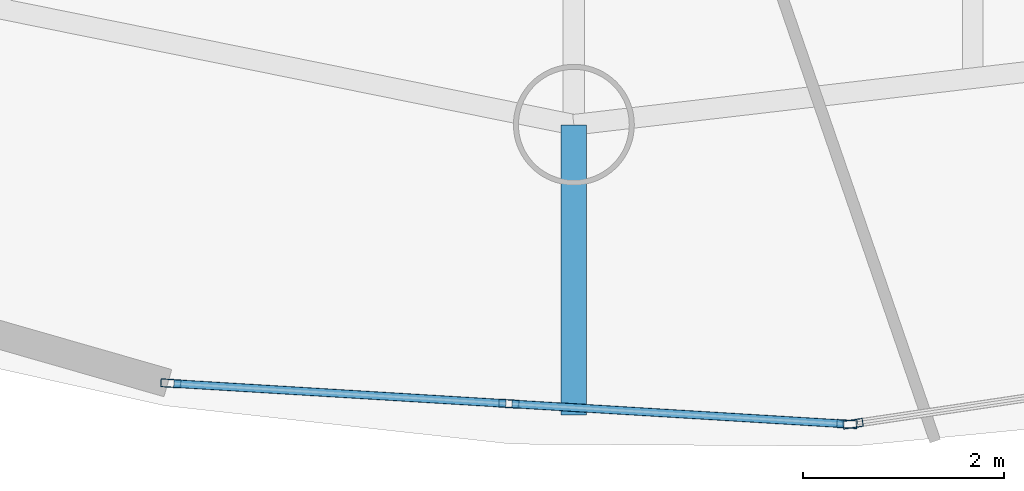
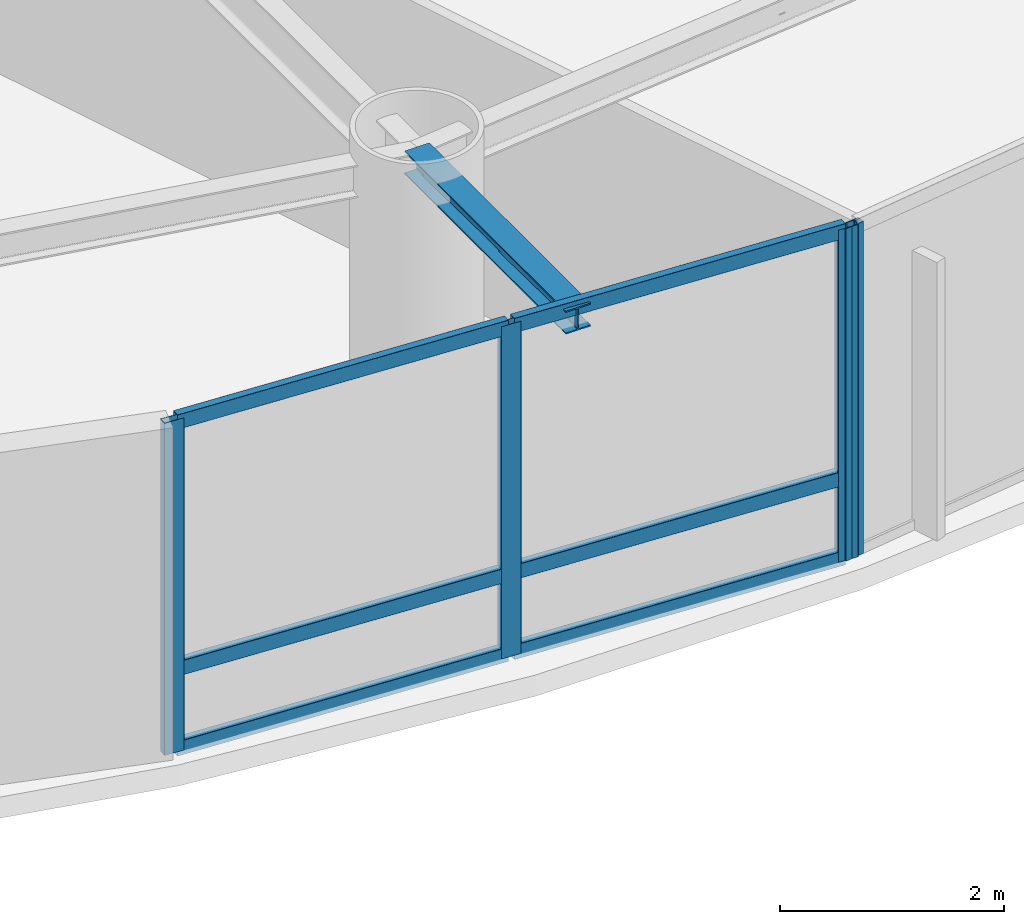
# One storey, part 2 of 18: 10 members, 1 beam, 2 elements without a shape of their own.
"""IFC4 building model written with IfcOpenShell, lengths in metres."""

from ifc_helpers import new_model, si_unit, direction, frame, origin, origin_2d, place, context, subcontext, project, spatial, hollow_rectangle, i_section, extrude, material, layer, layer_set, material_profile, profile_set, type_object, element, aggregate, save


model = new_model("IFC4")

# Units and contexts
model_context = context("Model", 3, precision=1e-05, world=origin(), true_north=direction((0.0, 1.0)))
body_context = subcontext(model_context, "Body", "Model", "MODEL_VIEW")
ifc_project = project(units=[si_unit("LENGTHUNIT", "METRE"), si_unit("AREAUNIT", "SQUARE_METRE"), si_unit("VOLUMEUNIT", "CUBIC_METRE"), si_unit("PLANEANGLEUNIT", "RADIAN"), si_unit("MASSUNIT", "GRAM", prefix="KILO")], contexts=[model_context])

# Site, building, storey
site_placement = place(None, origin())
site = spatial("IfcSite", under=ifc_project, at=site_placement, CompositionType="ELEMENT")
building_placement = place(site_placement, origin())
building = spatial("IfcBuilding", under=site, at=building_placement, Name="Bramvorn Convention Spire", CompositionType="ELEMENT")
storey_placement = place(building_placement, frame((0.0, 0.0, 182.75)))
storey = spatial("IfcBuildingStorey", under=building, at=storey_placement, Name="L46", CompositionType="ELEMENT", Elevation=182.75)

# Beam
ifc_material_1 = material(Name="Steel CSA G40.21 Grade 350 (350W)", Category="steel")
ifc_material_profile_1 = material_profile(ifc_material_1, i_section(OverallWidth=0.25390625, OverallDepth=0.2529296875, WebThickness=0.008544921875, FlangeThickness=0.01416015625, FilletRadius=0.011962890625, at=origin_2d()))
ifc_profile_set_1 = profile_set([ifc_material_profile_1], Name="Steel CSA G40.21 Grade 350 (350W) - W250X73")
beam_type = type_object("IfcBeamType", Name="BM-W250X73", PredefinedType="BEAM", material=ifc_profile_set_1)
beam_placement = place(storey_placement, frame((42.583740234375, 5.41162109375, 3.493408203125), z_axis=(0.0, -1.0, 0.0), x_axis=(1.0, 0.0, 0.0)))
element("IfcBeam", 1, at=beam_placement, inside=storey, type_object=beam_type, Name="L46 slab-edge cantilever tip beam MC15", PredefinedType="BEAM", context=body_context, shape_type="SweptSolid", body=[
    extrude(i_section(OverallWidth=0.25390625, OverallDepth=0.2529296875, WebThickness=0.008544921875, FlangeThickness=0.01416015625, FilletRadius=0.011962890625, at=origin_2d()), origin(), (0.0, 0.0, 1.0), 2.879150390625),
])

# Curtain wall, members
ifc_material_2 = material(Name="Anodised Bronze Unitised Curtain Wall", Category="aluminium")
ifc_layer = layer(ifc_material_2, 0.179931640625)
ifc_layer_set = layer_set([ifc_layer], Name="Anodised Bronze Unitised Curtain Wall - CW-OFF-FRIT")
curtain_wall_type = type_object("IfcCurtainWallType", Name="CW-OFF-FRIT", PredefinedType="USERDEFINED", material=ifc_layer_set)
curtain_wall_1_placement = place(storey_placement, origin())
curtain_wall_1 = element("IfcCurtainWall", 2, at=curtain_wall_1_placement, inside=storey, type_object=curtain_wall_type, Name="L46 fritted glass curtain wall 21", ObjectType="UNITISED CURTAIN WALL", PredefinedType="USERDEFINED")
ifc_material_3 = material(Name="Anodised Bronze Aluminium 6063-T6", Category="aluminium")
ifc_material_profile_2 = material_profile(ifc_material_3, hollow_rectangle(XDim=0.080078125, YDim=0.199951171875, WallThickness=0.00390625, InnerFilletRadius=0.0009765625, OuterFilletRadius=0.00390625, at=origin_2d()))
ifc_profile_set_2 = profile_set([ifc_material_profile_2], Name="Anodised Bronze Aluminium 6063-T6 - CWM80X200")
member_type_1 = type_object("IfcMemberType", Name="CW-MUL-180", PredefinedType="MULLION", material=ifc_profile_set_2)
member_1_placement = place(storey_placement, frame((45.294677734375, 2.440185546875, 0.0), z_axis=(0.0, 0.0, 1.0), x_axis=(-0.060121691503, -0.998191054964, 0.0)))
member_1 = element("IfcMember", 3, at=member_1_placement, type_object=member_type_1, Name="CW3 mullion 1", PredefinedType="MULLION", context=body_context, shape_type="SweptSolid", body=[
    extrude(hollow_rectangle(XDim=0.080078125, YDim=0.199951171875, WallThickness=0.00390625, InnerFilletRadius=0.0009765625, OuterFilletRadius=0.00390625, at=origin_2d()), origin(), (0.0, 0.0, 1.0), 3.6201171875),
])
member_2_placement = place(storey_placement, frame((41.9384765625, 2.642333984375, 0.0), z_axis=(0.0, 0.0, 1.0), x_axis=(-0.060121691503, -0.998191054964, 0.0)))
member_2 = element("IfcMember", 4, at=member_2_placement, type_object=member_type_1, Name="CW3 mullion 2", PredefinedType="MULLION", context=body_context, shape_type="SweptSolid", body=[
    extrude(hollow_rectangle(XDim=0.080078125, YDim=0.199951171875, WallThickness=0.00390625, InnerFilletRadius=0.0009765625, OuterFilletRadius=0.00390625, at=origin_2d()), origin(), (0.0, 0.0, 1.0), 3.6201171875),
])
member_3_placement = place(storey_placement, frame((38.582275390625, 2.844482421875, 0.0), z_axis=(0.0, 0.0, 1.0), x_axis=(-0.060121691503, -0.998191054964, 0.0)))
member_3 = element("IfcMember", 5, at=member_3_placement, type_object=member_type_1, Name="CW3 mullion 3", PredefinedType="MULLION", context=body_context, shape_type="SweptSolid", body=[
    extrude(hollow_rectangle(XDim=0.080078125, YDim=0.199951171875, WallThickness=0.00390625, InnerFilletRadius=0.0009765625, OuterFilletRadius=0.00390625, at=origin_2d()), origin(), (0.0, 0.0, 1.0), 3.6201171875),
])

# Curtain wall, member
curtain_wall_2_placement = place(storey_placement, origin())
curtain_wall_2 = element("IfcCurtainWall", 6, at=curtain_wall_2_placement, inside=storey, type_object=curtain_wall_type, Name="L46 fritted glass curtain wall 22", ObjectType="UNITISED CURTAIN WALL", PredefinedType="USERDEFINED")
member_4_placement = place(storey_placement, frame((45.354248046875, 2.44287109375, 0.0), z_axis=(0.0, 0.0, 1.0), x_axis=(0.147438002841, -0.989071299411, 0.0)))
member_4 = element("IfcMember", 7, at=member_4_placement, type_object=member_type_1, Name="CW3 mullion 2", PredefinedType="MULLION", context=body_context, shape_type="SweptSolid", body=[
    extrude(hollow_rectangle(XDim=0.080078125, YDim=0.199951171875, WallThickness=0.00390625, InnerFilletRadius=0.0009765625, OuterFilletRadius=0.00390625, at=origin_2d()), origin(), (0.0, 0.0, 1.0), 3.6201171875),
])
aggregate(curtain_wall_2, [member_4])

# Member
ifc_material_profile_3 = material_profile(ifc_material_3, hollow_rectangle(XDim=0.080078125, YDim=0.159912109375, WallThickness=0.00390625, InnerFilletRadius=0.0009765625, OuterFilletRadius=0.00390625, at=origin_2d()))
ifc_profile_set_3 = profile_set([ifc_material_profile_3], Name="Anodised Bronze Aluminium 6063-T6 - CWT80X160")
member_type_2 = type_object("IfcMemberType", Name="CW-TRN-150", PredefinedType="USERDEFINED", material=ifc_profile_set_3)
member_5_placement = place(storey_placement, frame((45.2646484375, 2.442138671875, 0.030029296875), z_axis=(-0.998191826678, 0.060108877497, 0.0), x_axis=(-0.060108877497, -0.998191826678, 0.0)))
member_5 = element("IfcMember", 8, at=member_5_placement, type_object=member_type_2, Name="CW3 transom 1.1", ObjectType="TRANSOM", PredefinedType="USERDEFINED", context=body_context, shape_type="SweptSolid", body=[
    extrude(hollow_rectangle(XDim=0.080078125, YDim=0.159912109375, WallThickness=0.00390625, InnerFilletRadius=0.0009765625, OuterFilletRadius=0.00390625, at=origin_2d()), origin(), (0.0, 0.0, 1.0), 3.302001953125),
])

member_6_placement = place(storey_placement, frame((45.2646484375, 2.442138671875, 0.89990234375), z_axis=(-0.998191826678, 0.060108877497, 0.0), x_axis=(-0.060108877497, -0.998191826678, 0.0)))
member_6 = element("IfcMember", 9, at=member_6_placement, type_object=member_type_2, Name="CW3 transom 1.2", ObjectType="TRANSOM", PredefinedType="USERDEFINED", context=body_context, shape_type="SweptSolid", body=[
    extrude(hollow_rectangle(XDim=0.080078125, YDim=0.159912109375, WallThickness=0.00390625, InnerFilletRadius=0.0009765625, OuterFilletRadius=0.00390625, at=origin_2d()), origin(), (0.0, 0.0, 1.0), 3.302001953125),
])

member_7_placement = place(storey_placement, frame((45.2646484375, 2.442138671875, 3.590087890625), z_axis=(-0.998191826678, 0.060108877497, 0.0), x_axis=(-0.060108877497, -0.998191826678, 0.0)))
member_7 = element("IfcMember", 10, at=member_7_placement, type_object=member_type_2, Name="CW3 transom 1.3", ObjectType="TRANSOM", PredefinedType="USERDEFINED", context=body_context, shape_type="SweptSolid", body=[
    extrude(hollow_rectangle(XDim=0.080078125, YDim=0.159912109375, WallThickness=0.00390625, InnerFilletRadius=0.0009765625, OuterFilletRadius=0.00390625, at=origin_2d()), origin(), (0.0, 0.0, 1.0), 3.302001953125),
])

member_8_placement = place(storey_placement, frame((41.908447265625, 2.644287109375, 0.030029296875), z_axis=(-0.998191826678, 0.060108877497, 0.0), x_axis=(-0.060108877497, -0.998191826678, 0.0)))
member_8 = element("IfcMember", 11, at=member_8_placement, type_object=member_type_2, Name="CW3 transom 2.1", ObjectType="TRANSOM", PredefinedType="USERDEFINED", context=body_context, shape_type="SweptSolid", body=[
    extrude(hollow_rectangle(XDim=0.080078125, YDim=0.159912109375, WallThickness=0.00390625, InnerFilletRadius=0.0009765625, OuterFilletRadius=0.00390625, at=origin_2d()), origin(), (0.0, 0.0, 1.0), 3.302001953125),
])

member_9_placement = place(storey_placement, frame((41.908447265625, 2.644287109375, 0.89990234375), z_axis=(-0.998191826678, 0.060108877497, 0.0), x_axis=(-0.060108877497, -0.998191826678, 0.0)))
member_9 = element("IfcMember", 12, at=member_9_placement, type_object=member_type_2, Name="CW3 transom 2.2", ObjectType="TRANSOM", PredefinedType="USERDEFINED", context=body_context, shape_type="SweptSolid", body=[
    extrude(hollow_rectangle(XDim=0.080078125, YDim=0.159912109375, WallThickness=0.00390625, InnerFilletRadius=0.0009765625, OuterFilletRadius=0.00390625, at=origin_2d()), origin(), (0.0, 0.0, 1.0), 3.302001953125),
])

member_10_placement = place(storey_placement, frame((41.908447265625, 2.644287109375, 3.590087890625), z_axis=(-0.998191826678, 0.060108877497, 0.0), x_axis=(-0.060108877497, -0.998191826678, 0.0)))
member_10 = element("IfcMember", 13, at=member_10_placement, type_object=member_type_2, Name="CW3 transom 2.3", ObjectType="TRANSOM", PredefinedType="USERDEFINED", context=body_context, shape_type="SweptSolid", body=[
    extrude(hollow_rectangle(XDim=0.080078125, YDim=0.159912109375, WallThickness=0.00390625, InnerFilletRadius=0.0009765625, OuterFilletRadius=0.00390625, at=origin_2d()), origin(), (0.0, 0.0, 1.0), 3.302001953125),
])

aggregate(curtain_wall_1, [member_1, member_2, member_3, member_5, member_6, member_7, member_8, member_9, member_10])

save(model, "model.ifc")
